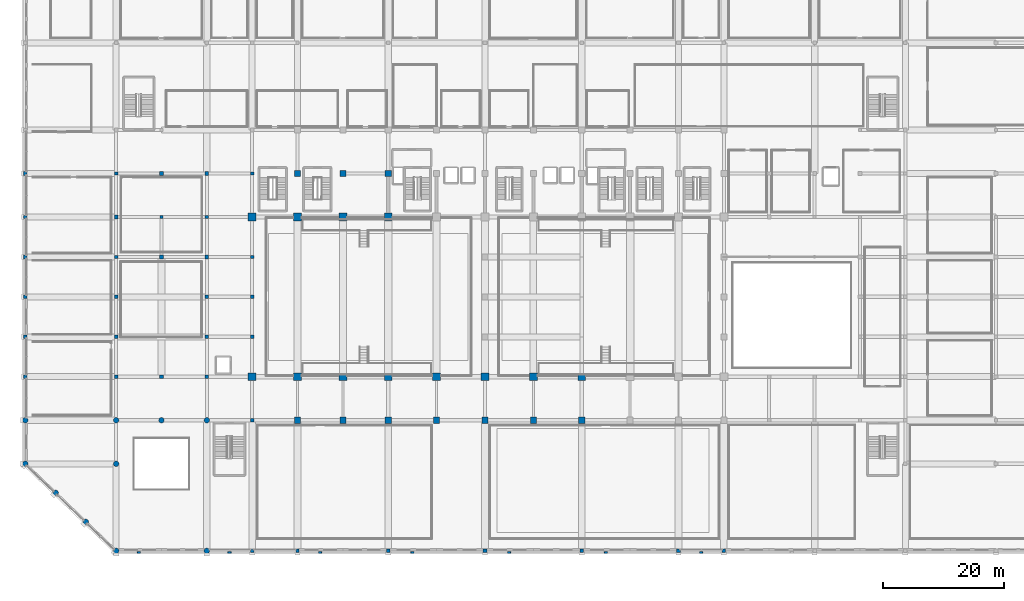
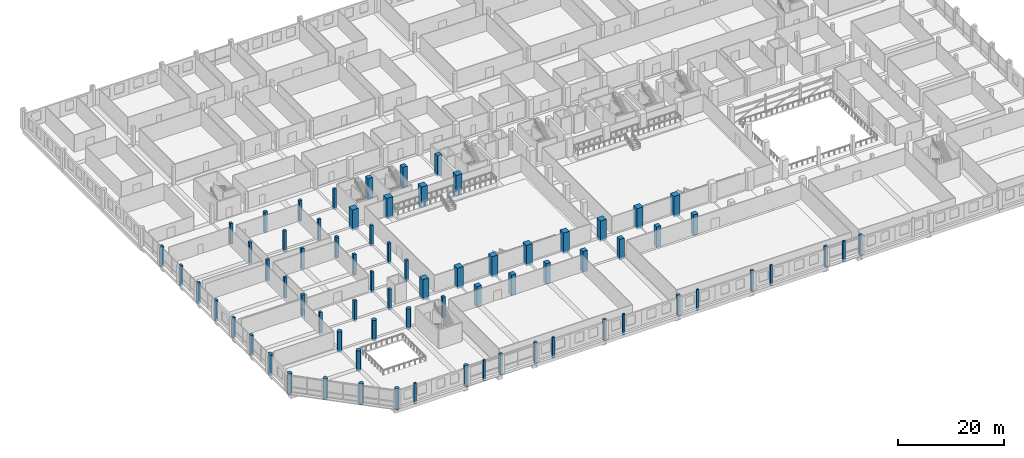
# One storey, part 1 of 68: 73 columns.
"""IFC4 building model written with IfcOpenShell, lengths in metres."""

import ifcopenshell
import ifcopenshell.guid

model = None  # the IFC model being written
_history = None  # IfcOwnerHistory: only IFC2X3 demands one
_inside = {}  # id of a spatial element -> (the spatial element, [elements in it])
_under = {}  # id of a project, library or spatial element -> (it, [spatial elements below it])
_declared = {}  # id of a project -> (the project, [libraries it declares])
_typed = {}  # id of a type object -> (the type object, [elements of that type])
_made_of = {}  # id of a material, layer set ... -> (it, [elements and type objects made of it])


def new_model(schema):
    """Start an empty IFC model of exactly this schema.

    Asked for "IFC4X3", IfcOpenShell would pick the latest addendum, in which some entities
    have other attributes; the version numbers below select the first issue.
    IFC2X3 requires an IfcOwnerHistory on every rooted entity: one is made here for all.
    """
    global model, _history
    if schema == "IFC4X3":
        model = ifcopenshell.file(schema_version=(4, 3, 0, 0))
    else:
        model = ifcopenshell.file(schema=schema)
    _inside.clear()
    _under.clear()
    _declared.clear()
    _typed.clear()
    _made_of.clear()
    _history = None
    if model.schema == "IFC2X3":
        org = make("IfcOrganization", Name="unknown")
        user = make(
            "IfcPersonAndOrganization",
            ThePerson=make("IfcPerson", FamilyName="unknown"),
            TheOrganization=org,
        )
        app = make(
            "IfcApplication",
            ApplicationDeveloper=org,
            Version="unknown",
            ApplicationFullName="unknown",
            ApplicationIdentifier="unknown",
        )
        _history = make(
            "IfcOwnerHistory",
            OwningUser=user,
            OwningApplication=app,
            ChangeAction="ADDED",
            CreationDate=0,
        )
    return model


def make(cls, **values):
    """One entity of the class cls with the attributes given. An attribute that is None is left unset."""
    return model.create_entity(
        cls, **{name: value for name, value in values.items() if value is not None}
    )


def rooted(cls, **values):
    """An entity with a GlobalId (a new one), such as an element, a storey or a relation."""
    return make(cls, GlobalId=ifcopenshell.guid.new(), OwnerHistory=_history, **values)


def si_unit(unit_type, name, prefix=None):
    """IfcSIUnit, for example si_unit("LENGTHUNIT", "METRE", prefix="MILLI")."""
    return make("IfcSIUnit", UnitType=unit_type, Prefix=prefix, Name=name)


def assignment(units):
    """IfcUnitAssignment: the units of a project."""
    return None if units is None else make("IfcUnitAssignment", Units=units)


def point(xyz):
    """IfcCartesianPoint."""
    return None if xyz is None else make("IfcCartesianPoint", Coordinates=xyz)


def direction(xyz):
    """IfcDirection."""
    return None if xyz is None else make("IfcDirection", DirectionRatios=xyz)


def frame(location, z_axis=None, x_axis=None):
    """IfcAxis2Placement3D, a coordinate frame: its origin and axes. An axis left out is left unset."""
    return make(
        "IfcAxis2Placement3D",
        Location=point(location),
        Axis=direction(z_axis),
        RefDirection=direction(x_axis),
    )


def frame_2d(location, x_axis=None):
    """IfcAxis2Placement2D, a coordinate frame in the plane: its origin and x axis."""
    return make(
        "IfcAxis2Placement2D", Location=point(location), RefDirection=direction(x_axis)
    )


def origin():
    """The frame at (0, 0, 0) with its axes left unset."""
    return frame((0.0, 0.0, 0.0))


def origin_2d():
    """The frame at (0, 0) in the plane with its x axis left unset."""
    return frame_2d((0.0, 0.0))


def place(relative_to, where):
    """IfcLocalPlacement: puts the frame where relative to a parent placement (None: the world)."""
    return make(
        "IfcLocalPlacement", PlacementRelTo=relative_to, RelativePlacement=where
    )


def context(
    kind, dimensions, precision=None, world=None, true_north=None, identifier=None
):
    """IfcGeometricRepresentationContext, for example the 3D "Model" context."""
    return make(
        "IfcGeometricRepresentationContext",
        ContextIdentifier=identifier,
        ContextType=kind,
        CoordinateSpaceDimension=dimensions,
        Precision=precision,
        WorldCoordinateSystem=world,
        TrueNorth=true_north,
    )


def subcontext(parent, identifier, kind, view, scale=None):
    """IfcGeometricRepresentationSubContext, for example "Body" below "Model"."""
    return make(
        "IfcGeometricRepresentationSubContext",
        ContextIdentifier=identifier,
        ContextType=kind,
        ParentContext=parent,
        TargetScale=scale,
        TargetView=view,
    )


def project(units=None, contexts=None):
    """IfcProject with its units and contexts."""
    return rooted(
        "IfcProject",
        Name="project",
        RepresentationContexts=contexts,
        UnitsInContext=assignment(units),
    )


def spatial(cls, under=None, at=None, **own):
    """A site, building, storey or space (cls), placed at a placement, below another one or the project."""
    s = rooted(cls, ObjectPlacement=at, **own)
    if under is not None:
        _under.setdefault(under.id(), (under, []))[1].append(s)
    return s


def profile(cls, at=None, kind="AREA", **sizes):
    """A parametric profile (cls). Its sizes go by their IFC names, for example OverallWidth=200.0."""
    return make(cls, ProfileType=kind, Position=at, **sizes)


def rectangle(**sizes):
    """IfcRectangleProfileDef."""
    return profile("IfcRectangleProfileDef", **sizes)


def circle(**sizes):
    """IfcCircleProfileDef."""
    return profile("IfcCircleProfileDef", **sizes)


def extrude(swept, where, along, depth):
    """IfcExtrudedAreaSolid: the profile swept, set in the frame where, extruded along a direction by depth."""
    return make(
        "IfcExtrudedAreaSolid",
        SweptArea=swept,
        Position=where,
        ExtrudedDirection=direction(along),
        Depth=depth,
    )


def shape(context_of_items, identifier, shape_type, items):
    """IfcShapeRepresentation: the items that make up one representation, for example the "Body"."""
    return make(
        "IfcShapeRepresentation",
        ContextOfItems=context_of_items,
        RepresentationIdentifier=identifier,
        RepresentationType=shape_type,
        Items=items,
    )


def material(Name=None, Category=None):
    """IfcMaterial."""
    return make("IfcMaterial", Name=Name, Category=Category)


def material_profile(
    of_material, cross_section, Name=None, Category=None, Priority=None
):
    """IfcMaterialProfile: a cross section and its material."""
    return make(
        "IfcMaterialProfile",
        Name=Name,
        Material=of_material,
        Profile=cross_section,
        Priority=Priority,
        Category=Category,
    )


def profile_set(profiles, Name=None, composite=None):
    """IfcMaterialProfileSet."""
    return make(
        "IfcMaterialProfileSet",
        Name=Name,
        MaterialProfiles=profiles,
        CompositeProfile=composite,
    )


def made_of(thing, what):
    """Note that an element or type object is made of a material, layer set ...; save() writes the relation."""
    if what is not None:
        _made_of.setdefault(what.id(), (what, []))[1].append(thing)
    return thing


def type_object(cls, material=None, **own):
    """A type object (cls), such as IfcWallType, which elements share."""
    return made_of(rooted(cls, **own), material)


def element(
    cls,
    number,
    at=None,
    inside=None,
    cuts=None,
    type_object=None,
    material=None,
    context=None,
    identifier="Body",
    shape_type=None,
    held_by="IfcProductDefinitionShape",
    body=None,
    shapes=None,
    **own,
):
    """One element of the class cls, such as IfcWall. Its Tag is "e" and its number.

    at: its placement. inside: the storey or other place that contains it. cuts: it is an
    opening in that element (IfcRelVoidsElement). A single representation is given by context,
    identifier, shape_type and body (its items); several are given by shapes. held_by: the class
    of the entity that holds the representations. save() writes the other relations.
    """
    e = rooted(cls, Tag="e%d" % number, ObjectPlacement=at, **own)
    if body is not None:
        shapes = [shape(context, identifier, shape_type, body)]
    if shapes is not None:
        e.Representation = make(held_by, Representations=shapes)
    if inside is not None:
        _inside.setdefault(inside.id(), (inside, []))[1].append(e)
    if cuts is not None:
        rooted(
            "IfcRelVoidsElement", RelatingBuildingElement=cuts, RelatedOpeningElement=e
        )
    if type_object is not None:
        _typed.setdefault(type_object.id(), (type_object, []))[1].append(e)
    return made_of(e, material)


def aggregate(whole, parts):
    """IfcRelAggregates: a whole, such as a stair, and the parts it consists of."""
    return rooted("IfcRelAggregates", RelatingObject=whole, RelatedObjects=parts)


def save(model, path):
    """Write the relations noted so far, then the file.

    IfcRelAggregates (storeys below a building ...), IfcRelContainedInSpatialStructure (elements
    in a storey), IfcRelDefinesByType, IfcRelAssociatesMaterial and IfcRelDeclares: one each for
    every whole, place, type object, material and project.
    """
    for whole, parts in _under.values():
        aggregate(whole, parts)
    for where, things in _inside.values():
        rooted(
            "IfcRelContainedInSpatialStructure",
            RelatedElements=things,
            RelatingStructure=where,
        )
    for kind, things in _typed.values():
        rooted("IfcRelDefinesByType", RelatedObjects=things, RelatingType=kind)
    for what, things in _made_of.values():
        rooted("IfcRelAssociatesMaterial", RelatedObjects=things, RelatingMaterial=what)
    for by, libraries in _declared.values():
        rooted("IfcRelDeclares", RelatingContext=by, RelatedDefinitions=libraries)
    model.write(path)


model = new_model("IFC4")

# Units and contexts
model_context = context("Model", 3, precision=1e-05, world=origin(), true_north=direction((0.0, 1.0)))
body_context = subcontext(model_context, "Body", "Model", "MODEL_VIEW")
ifc_project = project(units=[si_unit("LENGTHUNIT", "METRE"), si_unit("AREAUNIT", "SQUARE_METRE"), si_unit("VOLUMEUNIT", "CUBIC_METRE"), si_unit("PLANEANGLEUNIT", "RADIAN"), si_unit("MASSUNIT", "GRAM", prefix="KILO")], contexts=[model_context])

# Site, building, storey
site_placement = place(None, origin())
site = spatial("IfcSite", under=ifc_project, at=site_placement, CompositionType="ELEMENT")
building_placement = place(site_placement, origin())
building = spatial("IfcBuilding", under=site, at=building_placement, Name="Akrevak Sports Hall", CompositionType="ELEMENT")
storey_placement = place(building_placement, frame((0.0, 0.0, 9.39990234375)))
storey = spatial("IfcBuildingStorey", under=building, at=storey_placement, Name="L02", CompositionType="ELEMENT", Elevation=9.39990234375)

# Columns
ifc_material_1 = material(Name="Concrete C40/50", Category="concrete")
ifc_material_profile_1 = material_profile(ifc_material_1, circle(Radius=0.449951171875, at=origin_2d()), Name="COL D900", Category="concrete")
ifc_profile_set_1 = profile_set([ifc_material_profile_1], Name="Concrete C40/50")
column_type_1 = type_object("IfcColumnType", Name="STR-COL-D900", PredefinedType="COLUMN", material=ifc_profile_set_1)
for number, where, z_axis, x_axis, name in (
    (1, (0.0, 14.39990234375, -0.449951171875), (0.0, 0.0, 1.0), (1.0, 0.0, 0.0), "Column 1/C (L02)"),
    (2, (0.0, 21.60009765625, -0.449951171875), (0.0, 0.0, 1.0), (1.0, 0.0, 0.0), "Column 1/D (L02)"),
    (3, (15.0, 0.0, -0.449951171875), (0.0, 0.0, 1.0), (1.0, 0.0, 0.0), "Column 3/A (L02)"),
    (4, (15.0, 14.39990234375, -0.449951171875), (0.0, 0.0, 1.0), (1.0, 0.0, 0.0), "Column 3/C (L02)"),
    (5, (15.0, 21.60009765625, -0.449951171875), (0.0, 0.0, 1.0), (1.0, 0.0, 0.0), "Column 3/D (L02)"),
    (6, (22.5, 21.60009765625, -0.449951171875), (0.0, 0.0, 1.0), (1.0, 0.0, 0.0), "Column 4/D (L02)"),
    (7, (30.0, 0.0, -0.449951171875), (0.0, 0.0, 1.0), (1.0, 0.0, 0.0), "Column 5/A (L02)"),
    (8, (30.0, 21.60009765625, -0.449951171875), (0.0, 0.0, 1.0), (1.0, 0.0, 0.0), "Column 5/D (L02)"),
    (9, (10.0, 4.800048828125, -0.449951171875), (0.0, 0.0, 1.0), (1.0, 0.0, 0.0), "Beaux-Arts Chamfer Colonnade Column CH1 (L02)"),
    (10, (5.0, 9.60009765625, -0.449951171875), (0.0, 0.0, 1.0), (1.0, 0.0, 0.0), "Beaux-Arts Chamfer Colonnade Column CH2 (L02)"),
):
    element("IfcColumn", number, at=place(storey_placement, frame(where, z_axis=z_axis, x_axis=x_axis)), inside=storey, type_object=column_type_1, Name=name, PredefinedType="COLUMN", context=body_context, shape_type="SweptSolid", body=[
        extrude(circle(Radius=0.449951171875, at=origin_2d()), origin(), (0.0, 0.0, 1.0), 4.77001953125),
    ])
ifc_material_2 = material(Name="Concrete C50/60", Category="concrete")
ifc_material_profile_2 = material_profile(ifc_material_2, rectangle(XDim=1.0, YDim=1.0, at=origin_2d()), Name="RC 1000x1000", Category="concrete")
ifc_profile_set_2 = profile_set([ifc_material_profile_2], Name="Concrete C50/60")
column_type_2 = type_object("IfcColumnType", Name="STR-COL-RC1000", PredefinedType="COLUMN", material=ifc_profile_set_2)
for number, where, z_axis, x_axis, name in (
    (11, (45.0, 21.60009765625, -0.449951171875), (0.0, 0.0, 1.0), (1.0, 0.0, 0.0), "Column 7/D (L02)"),
    (12, (45.0, 62.39990234375, -0.449951171875), (0.0, 0.0, 1.0), (1.0, 0.0, 0.0), "Column 7/J (L02)"),
    (13, (52.5, 21.60009765625, -0.449951171875), (0.0, 0.0, 1.0), (1.0, 0.0, 0.0), "Column 8/D (L02)"),
    (14, (52.5, 62.39990234375, -0.449951171875), (0.0, 0.0, 1.0), (1.0, 0.0, 0.0), "Column 8/J (L02)"),
    (15, (60.0, 21.60009765625, -0.449951171875), (0.0, 0.0, 1.0), (1.0, 0.0, 0.0), "Column 9/D (L02)"),
    (16, (60.0, 62.39990234375, -0.449951171875), (0.0, 0.0, 1.0), (1.0, 0.0, 0.0), "Column 9/J (L02)"),
    (17, (68.0, 21.60009765625, -0.449951171875), (0.0, 0.0, 1.0), (1.0, 0.0, 0.0), "Column 10/D (L02)"),
    (18, (76.0, 21.60009765625, -0.449951171875), (0.0, 0.0, 1.0), (1.0, 0.0, 0.0), "Column 11/D (L02)"),
    (19, (84.0, 21.60009765625, -0.449951171875), (0.0, 0.0, 1.0), (1.0, 0.0, 0.0), "Column 12/D (L02)"),
    (20, (92.0, 21.60009765625, -0.449951171875), (0.0, 0.0, 1.0), (1.0, 0.0, 0.0), "Column 13/D (L02)"),
):
    element("IfcColumn", number, at=place(storey_placement, frame(where, z_axis=z_axis, x_axis=x_axis)), inside=storey, type_object=column_type_2, Name=name, PredefinedType="COLUMN", context=body_context, shape_type="SweptSolid", body=[
        extrude(rectangle(XDim=1.0, YDim=1.0, at=origin_2d()), origin(), (0.0, 0.0, 1.0), 4.77001953125),
    ])
ifc_material_profile_3 = material_profile(ifc_material_2, rectangle(XDim=1.300048828125, YDim=1.300048828125, at=origin_2d()), Name="RC 1300x1300", Category="concrete")
ifc_profile_set_3 = profile_set([ifc_material_profile_3], Name="Concrete C50/60")
column_type_3 = type_object("IfcColumnType", Name="STR-COL-RC1300", PredefinedType="COLUMN", material=ifc_profile_set_3)
for number, where, z_axis, x_axis, name in (
    (21, (37.5, 28.800048828125, -0.449951171875), (0.0, 0.0, 1.0), (1.0, 0.0, 0.0), "Column 6/E (L02)"),
    (22, (37.5, 55.199951171875, -0.449951171875), (0.0, 0.0, 1.0), (1.0, 0.0, 0.0), "Column 6/I (L02)"),
    (23, (45.0, 28.800048828125, -0.449951171875), (0.0, 0.0, 1.0), (1.0, 0.0, 0.0), "Column 7/E (L02)"),
    (24, (45.0, 55.199951171875, -0.449951171875), (0.0, 0.0, 1.0), (1.0, 0.0, 0.0), "Column 7/I (L02)"),
    (25, (52.5, 28.800048828125, -0.449951171875), (0.0, 0.0, 1.0), (1.0, 0.0, 0.0), "Column 8/E (L02)"),
    (26, (52.5, 55.199951171875, -0.449951171875), (0.0, 0.0, 1.0), (1.0, 0.0, 0.0), "Column 8/I (L02)"),
    (27, (60.0, 28.800048828125, -0.449951171875), (0.0, 0.0, 1.0), (1.0, 0.0, 0.0), "Column 9/E (L02)"),
    (28, (60.0, 55.199951171875, -0.449951171875), (0.0, 0.0, 1.0), (1.0, 0.0, 0.0), "Column 9/I (L02)"),
    (29, (68.0, 28.800048828125, -0.449951171875), (0.0, 0.0, 1.0), (1.0, 0.0, 0.0), "Column 10/E (L02)"),
    (30, (76.0, 28.800048828125, -0.449951171875), (0.0, 0.0, 1.0), (1.0, 0.0, 0.0), "Column 11/E (L02)"),
    (31, (84.0, 28.800048828125, -0.449951171875), (0.0, 0.0, 1.0), (1.0, 0.0, 0.0), "Column 12/E (L02)"),
    (32, (92.0, 28.800048828125, -0.449951171875), (0.0, 0.0, 1.0), (1.0, 0.0, 0.0), "Column 13/E (L02)"),
):
    element("IfcColumn", number, at=place(storey_placement, frame(where, z_axis=z_axis, x_axis=x_axis)), inside=storey, type_object=column_type_3, Name=name, PredefinedType="COLUMN", context=body_context, shape_type="SweptSolid", body=[
        extrude(rectangle(XDim=1.300048828125, YDim=1.300048828125, at=origin_2d()), origin(), (0.0, 0.0, 1.0), 4.77001953125),
    ])
ifc_material_profile_4 = material_profile(ifc_material_1, rectangle(XDim=0.550048828125, YDim=0.550048828125, at=origin_2d()), Name="RC 550x550", Category="concrete")
ifc_profile_set_4 = profile_set([ifc_material_profile_4], Name="Concrete C40/50")
column_type_4 = type_object("IfcColumnType", Name="STR-COL-RC550", PredefinedType="COLUMN", material=ifc_profile_set_4)
for number, where, z_axis, x_axis, name in (
    (33, (0.0, 35.39990234375, -0.449951171875), (0.0, 0.0, 1.0), (1.0, 0.0, 0.0), "Column 1/F (L02)"),
    (34, (0.0, 55.199951171875, -0.449951171875), (0.0, 0.0, 1.0), (1.0, 0.0, 0.0), "Column 1/I (L02)"),
    (35, (15.0, 28.800048828125, -0.449951171875), (0.0, 0.0, 1.0), (1.0, 0.0, 0.0), "Column 3/E (L02)"),
    (36, (15.0, 42.0, -0.449951171875), (0.0, 0.0, 1.0), (1.0, 0.0, 0.0), "Column 3/G (L02)"),
    (37, (15.0, 48.60009765625, -0.449951171875), (0.0, 0.0, 1.0), (1.0, 0.0, 0.0), "Column 3/H (L02)"),
    (38, (15.0, 62.39990234375, -0.449951171875), (0.0, 0.0, 1.0), (1.0, 0.0, 0.0), "Column 3/J (L02)"),
    (39, (22.5, 55.199951171875, -0.449951171875), (0.0, 0.0, 1.0), (1.0, 0.0, 0.0), "Column 4/I (L02)"),
    (40, (30.0, 35.39990234375, -0.449951171875), (0.0, 0.0, 1.0), (1.0, 0.0, 0.0), "Column 5/F (L02)"),
    (41, (30.0, 55.199951171875, -0.449951171875), (0.0, 0.0, 1.0), (1.0, 0.0, 0.0), "Column 5/I (L02)"),
    (42, (37.5, 0.0, -0.449951171875), (0.0, 0.0, 1.0), (1.0, 0.0, 0.0), "Column 6/A (L02)"),
    (43, (37.5, 42.0, -0.449951171875), (0.0, 0.0, 1.0), (1.0, 0.0, 0.0), "Column 6/G (L02)"),
    (44, (37.5, 48.60009765625, -0.449951171875), (0.0, 0.0, 1.0), (1.0, 0.0, 0.0), "Column 6/H (L02)"),
    (45, (37.5, 62.39990234375, -0.449951171875), (0.0, 0.0, 1.0), (1.0, 0.0, 0.0), "Column 6/J (L02)"),
    (46, (45.0, 0.0, -0.449951171875), (0.0, 0.0, 1.0), (1.0, 0.0, 0.0), "Column 7/A (L02)"),
    (47, (115.5, 0.0, -0.449951171875), (0.0, 0.0, 1.0), (1.0, 0.0, 0.0), "Column 16/A (L02)"),
):
    element("IfcColumn", number, at=place(storey_placement, frame(where, z_axis=z_axis, x_axis=x_axis)), inside=storey, type_object=column_type_4, Name=name, PredefinedType="COLUMN", context=body_context, shape_type="SweptSolid", body=[
        extrude(rectangle(XDim=0.550048828125, YDim=0.550048828125, at=origin_2d()), origin(), (0.0, 0.0, 1.0), 4.77001953125),
    ])
ifc_material_profile_5 = material_profile(ifc_material_1, rectangle(XDim=0.60009765625, YDim=0.60009765625, at=origin_2d()), Name="RC 600x600", Category="concrete")
ifc_profile_set_5 = profile_set([ifc_material_profile_5], Name="Concrete C40/50")
column_type_5 = type_object("IfcColumnType", Name="STR-COL-RC600", PredefinedType="COLUMN", material=ifc_profile_set_5)
for number, where, z_axis, x_axis, name in (
    (48, (0.0, 28.800048828125, -0.449951171875), (0.0, 0.0, 1.0), (1.0, 0.0, 0.0), "Column 1/E (L02)"),
    (49, (0.0, 42.0, -0.449951171875), (0.0, 0.0, 1.0), (1.0, 0.0, 0.0), "Column 1/G (L02)"),
    (50, (0.0, 48.60009765625, -0.449951171875), (0.0, 0.0, 1.0), (1.0, 0.0, 0.0), "Column 1/H (L02)"),
    (51, (0.0, 62.39990234375, -0.449951171875), (0.0, 0.0, 1.0), (1.0, 0.0, 0.0), "Column 1/J (L02)"),
    (52, (15.0, 35.39990234375, -0.449951171875), (0.0, 0.0, 1.0), (1.0, 0.0, 0.0), "Column 3/F (L02)"),
    (53, (15.0, 55.199951171875, -0.449951171875), (0.0, 0.0, 1.0), (1.0, 0.0, 0.0), "Column 3/I (L02)"),
    (54, (22.5, 28.800048828125, -0.449951171875), (0.0, 0.0, 1.0), (1.0, 0.0, 0.0), "Column 4/E (L02)"),
    (55, (22.5, 48.60009765625, -0.449951171875), (0.0, 0.0, 1.0), (1.0, 0.0, 0.0), "Column 4/H (L02)"),
    (56, (22.5, 62.39990234375, -0.449951171875), (0.0, 0.0, 1.0), (1.0, 0.0, 0.0), "Column 4/J (L02)"),
    (57, (30.0, 28.800048828125, -0.449951171875), (0.0, 0.0, 1.0), (1.0, 0.0, 0.0), "Column 5/E (L02)"),
    (58, (30.0, 42.0, -0.449951171875), (0.0, 0.0, 1.0), (1.0, 0.0, 0.0), "Column 5/G (L02)"),
    (59, (30.0, 48.60009765625, -0.449951171875), (0.0, 0.0, 1.0), (1.0, 0.0, 0.0), "Column 5/H (L02)"),
    (60, (30.0, 62.39990234375, -0.449951171875), (0.0, 0.0, 1.0), (1.0, 0.0, 0.0), "Column 5/J (L02)"),
    (61, (37.5, 21.60009765625, -0.449951171875), (0.0, 0.0, 1.0), (1.0, 0.0, 0.0), "Column 6/D (L02)"),
    (62, (37.5, 35.39990234375, -0.449951171875), (0.0, 0.0, 1.0), (1.0, 0.0, 0.0), "Column 6/F (L02)"),
    (63, (60.0, 0.0, -0.449951171875), (0.0, 0.0, 1.0), (1.0, 0.0, 0.0), "Column 9/A (L02)"),
    (64, (76.0, 0.0, -0.449951171875), (0.0, 0.0, 1.0), (1.0, 0.0, 0.0), "Column 11/A (L02)"),
    (65, (92.0, 0.0, -0.449951171875), (0.0, 0.0, 1.0), (1.0, 0.0, 0.0), "Column 13/A (L02)"),
    (66, (108.0, 0.0, -0.449951171875), (0.0, 0.0, 1.0), (1.0, 0.0, 0.0), "Column 15/A (L02)"),
):
    element("IfcColumn", number, at=place(storey_placement, frame(where, z_axis=z_axis, x_axis=x_axis)), inside=storey, type_object=column_type_5, Name=name, PredefinedType="COLUMN", context=body_context, shape_type="SweptSolid", body=[
        extrude(rectangle(XDim=0.60009765625, YDim=0.60009765625, at=origin_2d()), origin(), (0.0, 0.0, 1.0), 4.77001953125),
    ])
ifc_material_profile_6 = material_profile(ifc_material_1, rectangle(XDim=0.5, YDim=0.300048828125, at=origin_2d()), Name="PIL 500x300", Category="concrete")
ifc_profile_set_6 = profile_set([ifc_material_profile_6], Name="Concrete C40/50")
column_type_6 = type_object("IfcColumnType", Name="STR-PIL-500x300", PredefinedType="PILASTER", material=ifc_profile_set_6)
for number, where, z_axis, x_axis, name in (
    (67, (18.75, -0.260009765625, -0.449951171875), (0.0, 0.0, 1.0), (1.0, 0.0, 0.0), "Beaux-Arts Pilaster S01 (L02)"),
    (68, (33.75, -0.260009765625, -0.449951171875), (0.0, 0.0, 1.0), (1.0, 0.0, 0.0), "Beaux-Arts Pilaster S02 (L02)"),
    (69, (48.75, -0.260009765625, -0.449951171875), (0.0, 0.0, 1.0), (1.0, 0.0, 0.0), "Beaux-Arts Pilaster S03 (L02)"),
    (70, (64.0, -0.260009765625, -0.449951171875), (0.0, 0.0, 1.0), (1.0, 0.0, 0.0), "Beaux-Arts Pilaster S04 (L02)"),
    (71, (80.0, -0.260009765625, -0.449951171875), (0.0, 0.0, 1.0), (1.0, 0.0, 0.0), "Beaux-Arts Pilaster S05 (L02)"),
    (72, (96.0, -0.260009765625, -0.449951171875), (0.0, 0.0, 1.0), (1.0, 0.0, 0.0), "Beaux-Arts Pilaster S06 (L02)"),
    (73, (111.75, -0.260009765625, -0.449951171875), (0.0, 0.0, 1.0), (1.0, 0.0, 0.0), "Beaux-Arts Pilaster S07 (L02)"),
):
    element("IfcColumn", number, at=place(storey_placement, frame(where, z_axis=z_axis, x_axis=x_axis)), inside=storey, type_object=column_type_6, Name=name, PredefinedType="PILASTER", context=body_context, shape_type="SweptSolid", body=[
        extrude(rectangle(XDim=0.5, YDim=0.300048828125, at=origin_2d()), origin(), (0.0, 0.0, 1.0), 4.77001953125),
    ])

save(model, "model.ifc")
